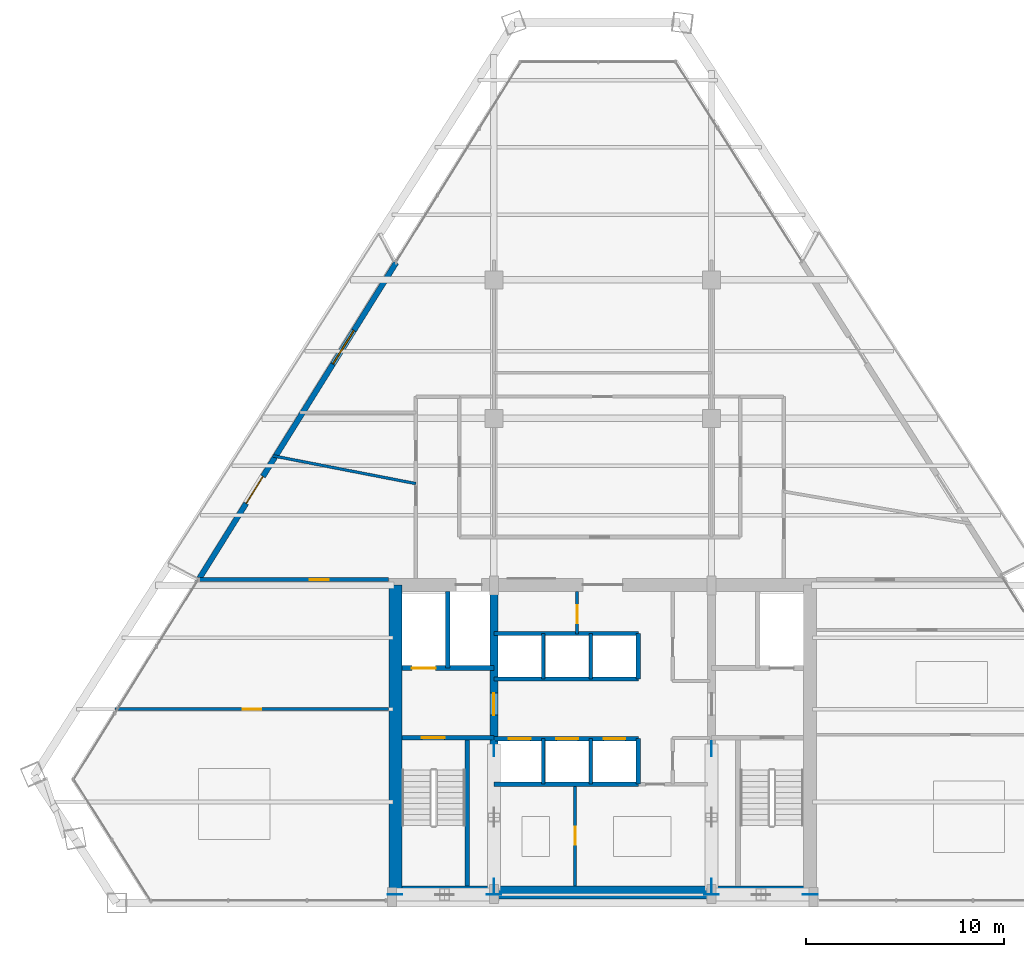
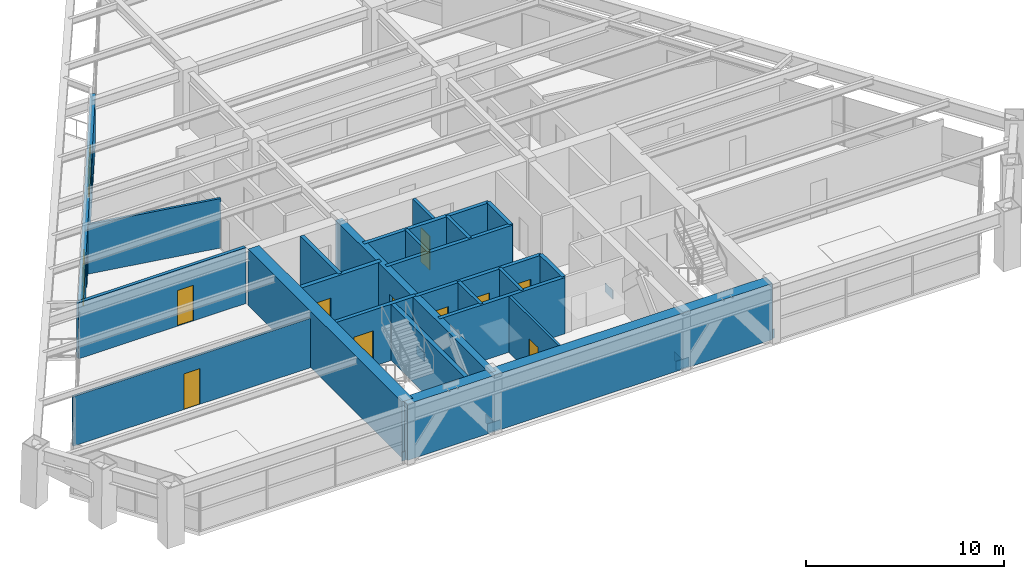
# One storey, part 11 of 15: 23 walls, 11 doors, 8 plates, 1 window, 12 openings.
"""IFC4 building model written with IfcOpenShell, lengths in metres."""

from ifc_helpers import new_model, si_unit, direction, frame, frame_2d, origin, origin_2d, place, context, subcontext, project, spatial, rectangle, extrude, source, transform, mapped, material, layer, layer_set, type_object, type_shapes, element, fill, save


model = new_model("IFC4")

# Units and contexts
model_context = context("Model", 3, precision=1e-05, world=origin(), true_north=direction((0.0, 1.0)))
body_context = subcontext(model_context, "Body", "Model", "MODEL_VIEW")
ifc_project = project(units=[si_unit("LENGTHUNIT", "METRE"), si_unit("AREAUNIT", "SQUARE_METRE"), si_unit("VOLUMEUNIT", "CUBIC_METRE"), si_unit("PLANEANGLEUNIT", "RADIAN"), si_unit("MASSUNIT", "GRAM", prefix="KILO")], contexts=[model_context])

# Site, building, storey
site_placement = place(None, origin())
site = spatial("IfcSite", under=ifc_project, at=site_placement, CompositionType="ELEMENT")
building_placement = place(site_placement, origin())
building = spatial("IfcBuilding", under=site, at=building_placement, Name="Varnakhor Terracotta Tower", CompositionType="ELEMENT")
storey_placement = place(building_placement, frame((0.0, 0.0, 182.10009765625)))
storey = spatial("IfcBuildingStorey", under=building, at=storey_placement, Name="L46", CompositionType="ELEMENT", Elevation=182.10009765625)

# Plates
ifc_material_1 = material(Name="Steel S460", Category="steel")
ifc_layer_1 = layer(ifc_material_1, 0.050048828125, Name="Steel S460")
ifc_layer_set_1 = layer_set([ifc_layer_1], Name="Steel S460")
plate_type = type_object("IfcPlateType", Name="PLT-GUSSET-50", PredefinedType="USERDEFINED", material=ifc_layer_set_1)
shared_shape_1 = source(origin(), body_context, "Body", "SweptSolid", [
    extrude(rectangle(XDim=0.75, YDim=0.0400390625, at=origin_2d()), origin(), (0.0, 0.0, 1.0), 0.550048828125),
])
type_shapes(plate_type, [shared_shape_1])
for number, where, z_axis, x_axis, name in (
    (1, (-10.5, 0.419921875, -0.09521484375), (0.0, 0.0, 1.0), (1.0, 0.0, 0.0), "L46 Core Brace Embed Plate CSWA"),
    (2, (-5.5, 0.419921875, -0.09521484375), (0.0, 0.0, 1.0), (1.0, 0.0, 0.0), "L46 Core Brace Embed Plate CSWB"),
    (3, (5.5, 0.419921875, -0.09521484375), (0.0, 0.0, 1.0), (1.0, 0.0, 0.0), "L46 Core Brace Embed Plate CSEA"),
    (4, (10.5, 0.419921875, -0.09521484375), (0.0, 0.0, 1.0), (1.0, 0.0, 0.0), "L46 Core Brace Embed Plate CSEB"),
    (5, (-5.5, 0.85009765625, -0.09521484375), (0.0, 0.0, 1.0), (0.0, 1.0, 0.0), "L46 Core Brace Embed Plate CWWA"),
    (6, (-5.5, 7.800048828125, -0.09521484375), (0.0, 0.0, 1.0), (0.0, 1.0, 0.0), "L46 Core Brace Embed Plate CWWB"),
    (7, (5.5, 0.85009765625, -0.09521484375), (0.0, 0.0, 1.0), (0.0, 1.0, 0.0), "L46 Core Brace Embed Plate CWEA"),
    (8, (5.5, 7.800048828125, -0.09521484375), (0.0, 0.0, 1.0), (0.0, 1.0, 0.0), "L46 Core Brace Embed Plate CWEB"),
):
    element("IfcPlate", number, at=place(storey_placement, frame(where, z_axis=z_axis, x_axis=x_axis)), inside=storey, type_object=plate_type, Name=name, ObjectType="GUSSET PLATE", PredefinedType="USERDEFINED", context=body_context, shape_type="MappedRepresentation", body=[
        mapped(shared_shape_1, transform((0.0, 0.0, 0.0), scale=1.0)),
    ])

# Walls
ifc_material_2 = material(Name="Concrete C50/60", Category="concrete")
ifc_layer_2 = layer(ifc_material_2, 0.64990234375, Name="Concrete C50/60")
ifc_layer_set_2 = layer_set([ifc_layer_2], Name="Concrete C50/60")
wall_type_1 = type_object("IfcWallType", Name="WAL-CORE-650", PredefinedType="SHEAR", material=ifc_layer_set_2)
wall_1_placement = place(storey_placement, frame((-10.64990234375, 0.52490234375, 0.0), z_axis=(0.0, 0.0, 1.0), x_axis=(1.0, 0.0, 0.0)))
element("IfcWall", 9, at=wall_1_placement, inside=storey, type_object=wall_type_1, Name="L46 South Core Shear Wall", PredefinedType="SHEAR", context=body_context, shape_type="SweptSolid", body=[
    extrude(rectangle(XDim=21.2998046875, YDim=0.64990234375, at=frame_2d((10.64990234375, 0.0))), origin(), (0.0, 0.0, 1.0), 3.469970703125),
])
wall_2_placement = place(storey_placement, frame((-10.47509765625, 0.52490234375, 0.0), z_axis=(0.0, 0.0, 1.0), x_axis=(0.0, 1.0, 0.0)))
element("IfcWall", 10, at=wall_2_placement, inside=storey, type_object=wall_type_1, Name="L46 West Core Shear Wall", PredefinedType="SHEAR", context=body_context, shape_type="SweptSolid", body=[
    extrude(rectangle(XDim=15.550048828125, YDim=0.64990234375, at=frame_2d((7.77490234375, 0.0))), origin(), (0.0, 0.0, 1.0), 3.469970703125),
])

# Wall, opening, door
ifc_layer_3 = layer(ifc_material_2, 0.39990234375, Name="Concrete C50/60")
ifc_layer_set_3 = layer_set([ifc_layer_3], Name="Concrete C50/60")
wall_type_2 = type_object("IfcWallType", Name="WAL-CORE-WEB-400", PredefinedType="SHEAR", material=ifc_layer_set_3)
wall_3_placement = place(storey_placement, frame((-5.5, 0.52490234375, 0.0), z_axis=(0.0, 0.0, 1.0), x_axis=(0.0, 1.0, 0.0)))
wall_3 = element("IfcWall", 11, at=wall_3_placement, inside=storey, type_object=wall_type_2, Name="L46 West Core Web Shear Wall", PredefinedType="SHEAR", context=body_context, shape_type="SweptSolid", body=[
    extrude(rectangle(XDim=15.550048828125, YDim=0.39990234375, at=frame_2d((7.77490234375, 0.0))), origin(), (0.0, 0.0, 1.0), 3.469970703125),
])
opening_1_placement = place(wall_3_placement, frame((8.97509765625, 0.0, 0.0)))
opening_1 = element("IfcOpeningElement", 12, at=opening_1_placement, cuts=wall_3, Name="Opening DR-25", PredefinedType="OPENING", context=body_context, shape_type="SweptSolid", body=[
    extrude(rectangle(XDim=1.10009765625, YDim=2.199951171875, at=frame_2d((0.550048828125, 1.10009765625))), frame((0.0, 0.2099609375, 0.0), z_axis=(0.0, -1.0, 0.0), x_axis=(1.0, 0.0, 0.0)), (0.0, 0.0, 1.0), 0.419921875),
])
ifc_material_3 = material(Name="Firefighting Lobby Self-Closing Fire Door", Category="steel")
door_type_1 = type_object("IfcDoorType", Name="DR-FFL-1100X2200", OperationType="NOTDEFINED", PredefinedType="DOOR", material=ifc_material_3)
shared_shape_2 = source(origin(), body_context, "Body", "SweptSolid", [
    extrude(rectangle(XDim=1.10009765625, YDim=2.199951171875, at=frame_2d((0.550048828125, 1.10009765625))), frame((0.0, 0.02490234375, 0.0), z_axis=(0.0, -1.0, 0.0), x_axis=(1.0, 0.0, 0.0)), (0.0, 0.0, 1.0), 0.050048828125),
])
type_shapes(door_type_1, [shared_shape_2])
door_1_placement = place(opening_1_placement, origin())
door_1 = element("IfcDoor", 13, at=door_1_placement, inside=storey, type_object=door_type_1, Name="L46 West Firefighting Lobby Door", OperationType="SINGLE_SWING_RIGHT", OverallHeight=2.199951171875, OverallWidth=1.10009765625, PredefinedType="DOOR", context=body_context, shape_type="MappedRepresentation", body=[
    mapped(shared_shape_2, transform((0.0, 0.0, 0.0), scale=1.0)),
])
fill(opening_1, door_1)

ifc_material_4 = material(Name="Fire-Rated Gypsum Stud Partition", Category="gypsum")
ifc_layer_4 = layer(ifc_material_4, 0.18505859375, Name="Fire-Rated Gypsum Stud Partition")
ifc_layer_set_4 = layer_set([ifc_layer_4], Name="Fire-Rated Gypsum Stud Partition")
wall_type_3 = type_object("IfcWallType", Name="WAL-CORR-185", PredefinedType="PARTITIONING", material=ifc_layer_set_4)
wall_4_placement = place(storey_placement, frame((-20.583251953125, 16.35009765625, 0.0), z_axis=(0.0, 0.0, 1.0), x_axis=(1.0, 0.0, 0.0)))
wall_4 = element("IfcWall", 14, at=wall_4_placement, inside=storey, type_object=wall_type_3, Name="L46 South West Entry Wall", PredefinedType="PARTITIONING", context=body_context, shape_type="SweptSolid", body=[
    extrude(rectangle(XDim=9.76318359375, YDim=0.18505859375, at=frame_2d((4.881591796875, 0.0))), origin(), (0.0, 0.0, 1.0), 3.4619140625),
])
opening_2_placement = place(wall_4_placement, frame((5.76904296875, 0.0, 0.0)))
opening_2 = element("IfcOpeningElement", 15, at=opening_2_placement, cuts=wall_4, Name="Opening DR-94", PredefinedType="OPENING", context=body_context, shape_type="SweptSolid", body=[
    extrude(rectangle(XDim=0.949951171875, YDim=2.199951171875, at=frame_2d((0.47509765625, 1.10009765625))), frame((0.0, 0.1025390625, 0.0), z_axis=(0.0, -1.0, 0.0), x_axis=(1.0, 0.0, 0.0)), (0.0, 0.0, 1.0), 0.205078125),
])
ifc_material_5 = material(Name="Acoustic Glazed-Vision Timber Office Door", Category="wood")
door_type_2 = type_object("IfcDoorType", Name="DR-OFF-950X2200", OperationType="NOTDEFINED", PredefinedType="DOOR", material=ifc_material_5)
shared_shape_3 = source(origin(), body_context, "Body", "SweptSolid", [
    extrude(rectangle(XDim=0.949951171875, YDim=2.199951171875, at=frame_2d((0.47509765625, 1.10009765625))), frame((0.0, 0.02490234375, 0.0), z_axis=(0.0, -1.0, 0.0), x_axis=(1.0, 0.0, 0.0)), (0.0, 0.0, 1.0), 0.050048828125),
])
type_shapes(door_type_2, [shared_shape_3])
door_2_placement = place(opening_2_placement, origin())
door_2 = element("IfcDoor", 16, at=door_2_placement, inside=storey, type_object=door_type_2, Name="L46 SW Suite Door", OperationType="SINGLE_SWING_LEFT", OverallHeight=2.199951171875, OverallWidth=0.949951171875, PredefinedType="DOOR", context=body_context, shape_type="MappedRepresentation", body=[
    mapped(shared_shape_3, transform((0.0, 0.0, 0.0), scale=1.0)),
])
fill(opening_2, door_2)

# Wall, openings, door, window
ifc_material_6 = material(Name="Extruded Architectural Terracotta Assembly", Category="masonry")
ifc_layer_5 = layer(ifc_material_6, 0.280029296875, Name="Extruded Architectural Terracotta Assembly")
ifc_layer_set_5 = layer_set([ifc_layer_5], Name="Extruded Architectural Terracotta Assembly")
wall_type_4 = type_object("IfcWallType", Name="WAL-EXT-TERRACOTTA-280", PredefinedType="SOLIDWALL", material=ifc_layer_set_5)
wall_5_placement = place(storey_placement, frame((-20.422607421875, 16.36181640625, 0.0), z_axis=(0.0, 0.0, 1.0), x_axis=(0.528858297752, 0.848710139505, 0.0)))
wall_5 = element("IfcWall", 17, at=wall_5_placement, inside=storey, type_object=wall_type_4, Name="L46 W Loggia Insulated Terracotta Wall", PredefinedType="SOLIDWALL", context=body_context, shape_type="SweptSolid", body=[
    extrude(rectangle(XDim=18.862548828125, YDim=0.280029296875, at=frame_2d((9.43115234375, 0.0))), origin(), (0.0, 0.0, 1.0), 3.0498046875),
])
opening_3_placement = place(wall_5_placement, frame((4.527099609375, 0.0, 0.0)))
opening_3 = element("IfcOpeningElement", 18, at=opening_3_placement, cuts=wall_5, Name="Opening DR-62", PredefinedType="OPENING", context=body_context, shape_type="SweptSolid", body=[
    extrude(rectangle(XDim=1.60009765625, YDim=2.35009765625, at=frame_2d((0.800048828125, 1.175048828125))), frame((0.0, 0.14990234375, 0.0), z_axis=(0.0, -1.0, 0.0), x_axis=(1.0, 0.0, 0.0)), (0.0, 0.0, 1.0), 0.300048828125),
])
opening_4_placement = place(wall_5_placement, frame((12.826416015625, 0.0, 0.89990234375)))
opening_4 = element("IfcOpeningElement", 19, at=opening_4_placement, cuts=wall_5, Name="Opening WN-26", PredefinedType="OPENING", context=body_context, shape_type="SweptSolid", body=[
    extrude(rectangle(XDim=2.0, YDim=1.85009765625, at=frame_2d((1.0, 0.925048828125))), frame((0.0, 0.14990234375, 0.0), z_axis=(0.0, -1.0, 0.0), x_axis=(1.0, 0.0, 0.0)), (0.0, 0.0, 1.0), 0.300048828125),
])
ifc_material_7 = material(Name="Thermally Broken Sliding Glass Loggia Door", Category="glass")
door_type_3 = type_object("IfcDoorType", Name="DR-EXT-LOGGIA-1600X2350", OperationType="NOTDEFINED", PredefinedType="DOOR", material=ifc_material_7)
shared_shape_4 = source(origin(), body_context, "Body", "SweptSolid", [
    extrude(rectangle(XDim=1.60009765625, YDim=2.35009765625, at=frame_2d((0.800048828125, 1.175048828125))), frame((0.0, 0.02490234375, 0.0), z_axis=(0.0, -1.0, 0.0), x_axis=(1.0, 0.0, 0.0)), (0.0, 0.0, 1.0), 0.050048828125),
])
type_shapes(door_type_3, [shared_shape_4])
door_3_placement = place(opening_3_placement, origin())
door_3 = element("IfcDoor", 20, at=door_3_placement, inside=storey, type_object=door_type_3, Name="L46 W Recessed Loggia Sliding Door", OperationType="SLIDING_TO_LEFT", OverallHeight=2.35009765625, OverallWidth=1.60009765625, PredefinedType="DOOR", context=body_context, shape_type="MappedRepresentation", body=[
    mapped(shared_shape_4, transform((0.0, 0.0, 0.0), scale=1.0)),
])
fill(opening_3, door_3)
ifc_material_8 = material(Name="Solar-Control Low-E Insulated Glass Unit", Category="glass")
window_type = type_object("IfcWindowType", Name="WIN-OFF-2200X2100", PartitioningType="SINGLE_PANEL", PredefinedType="WINDOW", material=ifc_material_8)
shared_shape_5 = source(origin(), body_context, "Body", "SweptSolid", [
    extrude(rectangle(XDim=2.0, YDim=1.85009765625, at=frame_2d((1.0, 0.925048828125))), frame((0.0, 0.030029296875, 0.0), z_axis=(0.0, -1.0, 0.0), x_axis=(1.0, 0.0, 0.0)), (0.0, 0.0, 1.0), 0.06005859375),
])
type_shapes(window_type, [shared_shape_5])
window_placement = place(opening_4_placement, origin())
window = element("IfcWindow", 21, at=window_placement, inside=storey, type_object=window_type, Name="L46 W Facet Punched Window", OverallHeight=1.85009765625, OverallWidth=2.0, PartitioningType="SINGLE_PANEL", PredefinedType="WINDOW", context=body_context, shape_type="MappedRepresentation", body=[
    mapped(shared_shape_5, transform((0.0, 0.0, 0.0), scale=1.0)),
])
fill(opening_4, window)

# Wall, opening, door
ifc_material_9 = material(Name="Concrete C40/50", Category="concrete")
ifc_layer_6 = layer(ifc_material_9, 0.219970703125, Name="Concrete C40/50")
ifc_layer_set_6 = layer_set([ifc_layer_6], Name="Concrete C40/50")
wall_type_5 = type_object("IfcWallType", Name="WAL-FFLOBBY-220", PredefinedType="SOLIDWALL", material=ifc_layer_set_6)
wall_6_placement = place(storey_placement, frame((-5.5, 8.35009765625, 0.0), z_axis=(0.0, 0.0, 1.0), x_axis=(-1.0, 0.0, 0.0)))
wall_6 = element("IfcWall", 22, at=wall_6_placement, inside=storey, type_object=wall_type_5, Name="L46 West Firefighting Lobby Stair Wall", PredefinedType="SOLIDWALL", context=body_context, shape_type="SweptSolid", body=[
    extrude(rectangle(XDim=4.64990234375, YDim=0.219970703125, at=frame_2d((2.324951171875, 0.0))), origin(), (0.0, 0.0, 1.0), 3.469970703125),
])
opening_5_placement = place(wall_6_placement, frame((2.5, 0.0, 0.0)))
opening_5 = element("IfcOpeningElement", 23, at=opening_5_placement, cuts=wall_6, Name="Opening DR-34", PredefinedType="OPENING", context=body_context, shape_type="SweptSolid", body=[
    extrude(rectangle(XDim=1.14990234375, YDim=2.199951171875, at=frame_2d((0.574951171875, 1.10009765625))), frame((0.0, 0.1201171875, 0.0), z_axis=(0.0, -1.0, 0.0), x_axis=(1.0, 0.0, 0.0)), (0.0, 0.0, 1.0), 0.239990234375),
])
ifc_material_10 = material(Name="Self-Closing Smoke-Sealed Steel Fire Door", Category="steel")
door_type_4 = type_object("IfcDoorType", Name="DR-STAIR-1150X2200", OperationType="NOTDEFINED", PredefinedType="DOOR", material=ifc_material_10)
shared_shape_6 = source(origin(), body_context, "Body", "SweptSolid", [
    extrude(rectangle(XDim=1.14990234375, YDim=2.199951171875, at=frame_2d((0.574951171875, 1.10009765625))), frame((0.0, 0.02490234375, 0.0), z_axis=(0.0, -1.0, 0.0), x_axis=(1.0, 0.0, 0.0)), (0.0, 0.0, 1.0), 0.050048828125),
])
type_shapes(door_type_4, [shared_shape_6])
door_4_placement = place(opening_5_placement, origin())
door_4 = element("IfcDoor", 24, at=door_4_placement, inside=storey, type_object=door_type_4, Name="L46 Exit Stair ST-1 Fire Door", OperationType="SINGLE_SWING_LEFT", OverallHeight=2.199951171875, OverallWidth=1.14990234375, PredefinedType="DOOR", context=body_context, shape_type="MappedRepresentation", body=[
    mapped(shared_shape_6, transform((0.0, 0.0, 0.0), scale=1.0)),
])
fill(opening_5, door_4)

ifc_material_11 = material(Name="Acoustic Metal-Stud Partition", Category="gypsum")
ifc_layer_7 = layer(ifc_material_11, 0.139892578125, Name="Acoustic Metal-Stud Partition")
ifc_layer_set_7 = layer_set([ifc_layer_7], Name="Acoustic Metal-Stud Partition")
wall_type_6 = type_object("IfcWallType", Name="WAL-PART-140", PredefinedType="PARTITIONING", material=ifc_layer_set_7)
wall_7_placement = place(storey_placement, frame((-24.664794921875, 9.800048828125, 0.0), z_axis=(0.0, 0.0, 1.0), x_axis=(1.0, 0.0, 0.0)))
wall_7 = element("IfcWall", 25, at=wall_7_placement, inside=storey, type_object=wall_type_6, Name="L46 West Wing Cut 1", PredefinedType="PARTITIONING", context=body_context, shape_type="SweptSolid", body=[
    extrude(rectangle(XDim=13.8447265625, YDim=0.139892578125, at=frame_2d((6.92236328125, 0.0))), origin(), (0.0, 0.0, 1.0), 3.048828125),
])
opening_6_placement = place(wall_7_placement, frame((6.453857421875, 0.0, 0.0)))
opening_6 = element("IfcOpeningElement", 26, at=opening_6_placement, cuts=wall_7, Name="Opening DR-94", PredefinedType="OPENING", context=body_context, shape_type="SweptSolid", body=[
    extrude(rectangle(XDim=0.949951171875, YDim=2.199951171875, at=frame_2d((0.47509765625, 1.10009765625))), frame((0.0, 0.080078125, 0.0), z_axis=(0.0, -1.0, 0.0), x_axis=(1.0, 0.0, 0.0)), (0.0, 0.0, 1.0), 0.159912109375),
])
door_5_placement = place(opening_6_placement, origin())
door_5 = element("IfcDoor", 27, at=door_5_placement, inside=storey, type_object=door_type_2, Name="L46 Partner Office 5 Door", OperationType="SINGLE_SWING_LEFT", OverallHeight=2.199951171875, OverallWidth=0.949951171875, PredefinedType="DOOR", context=body_context, shape_type="MappedRepresentation", body=[
    mapped(shared_shape_3, transform((0.0, 0.0, 0.0), scale=1.0)),
])
fill(opening_6, door_5)

# Walls
wall_8_placement = place(storey_placement, frame((-16.6845703125, 22.606689453125, 0.0), z_axis=(0.0, 0.0, 1.0), x_axis=(0.981615217267, -0.190870545739, 0.0)))
element("IfcWall", 28, at=wall_8_placement, inside=storey, type_object=wall_type_6, Name="L46 West Wing Cut 2", PredefinedType="PARTITIONING", context=body_context, shape_type="SweptSolid", body=[
    extrude(rectangle(XDim=7.3701171875, YDim=0.139892578125, at=frame_2d((3.68505859375, 0.0))), origin(), (0.0, 0.0, 1.0), 3.048828125),
])
ifc_layer_8 = layer(ifc_material_9, 0.179931640625, Name="Concrete C40/50")
ifc_layer_set_8 = layer_set([ifc_layer_8], Name="Concrete C40/50")
wall_type_7 = type_object("IfcWallType", Name="WAL-SHAFT-180", PredefinedType="SOLIDWALL", material=ifc_layer_set_8)
for number, where, z_axis, x_axis, name in (
    (29, (-3.0, 6.0, 0.0), (0.0, 0.0, 1.0), (0.0, 1.0, 0.0), "L46 PL-2A Divider"),
    (30, (-0.60009765625, 6.0, 0.0), (0.0, 0.0, 1.0), (0.0, 1.0, 0.0), "L46 PL-2B Divider"),
    (31, (-3.0, 11.320068359375, 0.0), (0.0, 0.0, 1.0), (0.0, 1.0, 0.0), "L46 PL-3A Divider"),
    (32, (-0.60009765625, 11.320068359375, 0.0), (0.0, 0.0, 1.0), (0.0, 1.0, 0.0), "L46 PL-3B Divider"),
):
    element("IfcWall", number, at=place(storey_placement, frame(where, z_axis=z_axis, x_axis=x_axis)), inside=storey, type_object=wall_type_7, Name=name, PredefinedType="SOLIDWALL", context=body_context, shape_type="SweptSolid", body=[
        extrude(rectangle(XDim=2.300048828125, YDim=0.179931640625, at=frame_2d((1.14990234375, 0.0))), origin(), (0.0, 0.0, 1.0), 3.469970703125),
    ])
ifc_layer_9 = layer(ifc_material_9, 0.219970703125, Name="Concrete C40/50")
ifc_layer_set_9 = layer_set([ifc_layer_9], Name="Concrete C40/50")
wall_type_8 = type_object("IfcWallType", Name="WAL-SHAFT-220", PredefinedType="SOLIDWALL", material=ifc_layer_set_9)
wall_9_placement = place(storey_placement, frame((-7.840087890625, 11.8701171875, 0.0), z_axis=(0.0, 0.0, 1.0), x_axis=(0.0, 1.0, 0.0)))
element("IfcWall", 33, at=wall_9_placement, inside=storey, type_object=wall_type_8, Name="L46 Lift FFL-1 and SVL-1 Divider Wall", PredefinedType="SOLIDWALL", context=body_context, shape_type="SweptSolid", body=[
    extrude(rectangle(XDim=3.8798828125, YDim=0.219970703125, at=frame_2d((1.93994140625, 0.0))), origin(), (0.0, 0.0, 1.0), 3.469970703125),
])
wall_10_placement = place(storey_placement, frame((-5.5, 6.0, 0.0), z_axis=(0.0, 0.0, 1.0), x_axis=(1.0, 0.0, 0.0)))
element("IfcWall", 34, at=wall_10_placement, inside=storey, type_object=wall_type_8, Name="L46 Bank 2 South Shaft Wall", PredefinedType="SOLIDWALL", context=body_context, shape_type="SweptSolid", body=[
    extrude(rectangle(XDim=7.320068359375, YDim=0.219970703125, at=frame_2d((3.66015625, 0.0))), origin(), (0.0, 0.0, 1.0), 3.469970703125),
])

# Wall, openings, doors
wall_11_placement = place(storey_placement, frame((-5.5, 8.300048828125, 0.0), z_axis=(0.0, 0.0, 1.0), x_axis=(1.0, 0.0, 0.0)))
wall_11 = element("IfcWall", 35, at=wall_11_placement, inside=storey, type_object=wall_type_8, Name="L46 Bank 2 North Shaft Wall", PredefinedType="SOLIDWALL", context=body_context, shape_type="SweptSolid", body=[
    extrude(rectangle(XDim=7.320068359375, YDim=0.219970703125, at=frame_2d((3.66015625, 0.0))), origin(), (0.0, 0.0, 1.0), 3.469970703125),
])
opening_7_placement = place(wall_11_placement, frame((0.75, 0.0, 0.0)))
opening_7 = element("IfcOpeningElement", 36, at=opening_7_placement, cuts=wall_11, Name="Opening LD-01", PredefinedType="OPENING", context=body_context, shape_type="SweptSolid", body=[
    extrude(rectangle(XDim=1.10009765625, YDim=2.199951171875, at=frame_2d((0.550048828125, 1.10009765625))), frame((0.0, 0.1201171875, 0.0), z_axis=(0.0, -1.0, 0.0), x_axis=(1.0, 0.0, 0.0)), (0.0, 0.0, 1.0), 0.239990234375),
])
opening_8_placement = place(wall_11_placement, frame((3.14990234375, 0.0, 0.0)))
opening_8 = element("IfcOpeningElement", 37, at=opening_8_placement, cuts=wall_11, Name="Opening LD-01", PredefinedType="OPENING", context=body_context, shape_type="SweptSolid", body=[
    extrude(rectangle(XDim=1.10009765625, YDim=2.199951171875, at=frame_2d((0.550048828125, 1.10009765625))), frame((0.0, 0.1201171875, 0.0), z_axis=(0.0, -1.0, 0.0), x_axis=(1.0, 0.0, 0.0)), (0.0, 0.0, 1.0), 0.239990234375),
])
opening_9_placement = place(wall_11_placement, frame((5.550048828125, 0.0, 0.0)))
opening_9 = element("IfcOpeningElement", 38, at=opening_9_placement, cuts=wall_11, Name="Opening LD-01", PredefinedType="OPENING", context=body_context, shape_type="SweptSolid", body=[
    extrude(rectangle(XDim=1.10009765625, YDim=2.199951171875, at=frame_2d((0.550048828125, 1.10009765625))), frame((0.0, 0.1201171875, 0.0), z_axis=(0.0, -1.0, 0.0), x_axis=(1.0, 0.0, 0.0)), (0.0, 0.0, 1.0), 0.239990234375),
])
ifc_material_12 = material(Name="Brushed Stainless Steel Sliding Lift Landing Door", Category="steel")
door_type_5 = type_object("IfcDoorType", Name="LD-PASS-1100X2200", OperationType="NOTDEFINED", PredefinedType="DOOR", material=ifc_material_12)
shared_shape_7 = source(origin(), body_context, "Body", "SweptSolid", [
    extrude(rectangle(XDim=1.10009765625, YDim=2.199951171875, at=frame_2d((0.550048828125, 1.10009765625))), frame((0.0, 0.02490234375, 0.0), z_axis=(0.0, -1.0, 0.0), x_axis=(1.0, 0.0, 0.0)), (0.0, 0.0, 1.0), 0.050048828125),
])
type_shapes(door_type_5, [shared_shape_7])
door_6_placement = place(opening_7_placement, origin())
door_6 = element("IfcDoor", 39, at=door_6_placement, inside=storey, type_object=door_type_5, Name="L46 Passenger Lift PL-2A Landing Door", OperationType="SLIDING_TO_LEFT", OverallHeight=2.199951171875, OverallWidth=1.10009765625, PredefinedType="DOOR", context=body_context, shape_type="MappedRepresentation", body=[
    mapped(shared_shape_7, transform((0.0, 0.0, 0.0), scale=1.0)),
])
fill(opening_7, door_6)
door_7_placement = place(opening_8_placement, origin())
door_7 = element("IfcDoor", 40, at=door_7_placement, inside=storey, type_object=door_type_5, Name="L46 Passenger Lift PL-2B Landing Door", OperationType="SLIDING_TO_LEFT", OverallHeight=2.199951171875, OverallWidth=1.10009765625, PredefinedType="DOOR", context=body_context, shape_type="MappedRepresentation", body=[
    mapped(shared_shape_7, transform((0.0, 0.0, 0.0), scale=1.0)),
])
fill(opening_8, door_7)
door_8_placement = place(opening_9_placement, origin())
door_8 = element("IfcDoor", 41, at=door_8_placement, inside=storey, type_object=door_type_5, Name="L46 Passenger Lift PL-2C Landing Door", OperationType="SLIDING_TO_LEFT", OverallHeight=2.199951171875, OverallWidth=1.10009765625, PredefinedType="DOOR", context=body_context, shape_type="MappedRepresentation", body=[
    mapped(shared_shape_7, transform((0.0, 0.0, 0.0), scale=1.0)),
])
fill(opening_9, door_8)

# Walls
wall_12_placement = place(storey_placement, frame((1.800048828125, 6.0, 0.0), z_axis=(0.0, 0.0, 1.0), x_axis=(0.0, 1.0, 0.0)))
element("IfcWall", 42, at=wall_12_placement, inside=storey, type_object=wall_type_8, Name="L46 Bank 2 East Shaft Wall", PredefinedType="SOLIDWALL", context=body_context, shape_type="SweptSolid", body=[
    extrude(rectangle(XDim=2.300048828125, YDim=0.219970703125, at=frame_2d((1.14990234375, 0.0))), origin(), (0.0, 0.0, 1.0), 3.469970703125),
])
for number, where, z_axis, x_axis, name in (
    (43, (-5.5, 11.320068359375, 0.0), (0.0, 0.0, 1.0), (1.0, 0.0, 0.0), "L46 Bank 3 South Shaft Wall"),
    (44, (-5.5, 13.6201171875, 0.0), (0.0, 0.0, 1.0), (1.0, 0.0, 0.0), "L46 Bank 3 North Shaft Wall"),
):
    element("IfcWall", number, at=place(storey_placement, frame(where, z_axis=z_axis, x_axis=x_axis)), inside=storey, type_object=wall_type_8, Name=name, PredefinedType="SOLIDWALL", context=body_context, shape_type="SweptSolid", body=[
        extrude(rectangle(XDim=7.320068359375, YDim=0.219970703125, at=frame_2d((3.66015625, 0.0))), origin(), (0.0, 0.0, 1.0), 3.469970703125),
    ])
wall_13_placement = place(storey_placement, frame((1.800048828125, 11.320068359375, 0.0), z_axis=(0.0, 0.0, 1.0), x_axis=(0.0, 1.0, 0.0)))
element("IfcWall", 45, at=wall_13_placement, inside=storey, type_object=wall_type_8, Name="L46 Bank 3 East Shaft Wall", PredefinedType="SOLIDWALL", context=body_context, shape_type="SweptSolid", body=[
    extrude(rectangle(XDim=2.300048828125, YDim=0.219970703125, at=frame_2d((1.14990234375, 0.0))), origin(), (0.0, 0.0, 1.0), 3.469970703125),
])
ifc_layer_10 = layer(ifc_material_9, 0.25, Name="Concrete C40/50")
ifc_layer_set_10 = layer_set([ifc_layer_10], Name="Concrete C40/50")
wall_type_9 = type_object("IfcWallType", Name="WAL-SHAFT-250", PredefinedType="SOLIDWALL", material=ifc_layer_set_10)
wall_14_placement = place(storey_placement, frame((-6.85009765625, 0.85009765625, 0.0), z_axis=(0.0, 0.0, 1.0), x_axis=(0.0, 1.0, 0.0)))
element("IfcWall", 46, at=wall_14_placement, inside=storey, type_object=wall_type_9, Name="L46 Stair ST-1 Bearing Shaft Wall", PredefinedType="SOLIDWALL", context=body_context, shape_type="SweptSolid", body=[
    extrude(rectangle(XDim=7.5, YDim=0.25, at=frame_2d((3.75, 0.0))), origin(), (0.0, 0.0, 1.0), 3.469970703125),
])

# Wall, opening, door
wall_15_placement = place(storey_placement, frame((-5.5, 11.8701171875, 0.0), z_axis=(0.0, 0.0, 1.0), x_axis=(-1.0, 0.0, 0.0)))
wall_15 = element("IfcWall", 47, at=wall_15_placement, inside=storey, type_object=wall_type_9, Name="L46 Lift FFL-1 Shaft Front Wall", PredefinedType="SOLIDWALL", context=body_context, shape_type="SweptSolid", body=[
    extrude(rectangle(XDim=4.64990234375, YDim=0.25, at=frame_2d((2.324951171875, 0.0))), origin(), (0.0, 0.0, 1.0), 3.469970703125),
])
opening_10_placement = place(wall_15_placement, frame((2.949951171875, 0.0, 0.0)))
opening_10 = element("IfcOpeningElement", 48, at=opening_10_placement, cuts=wall_15, Name="Opening LD-02", PredefinedType="OPENING", context=body_context, shape_type="SweptSolid", body=[
    extrude(rectangle(XDim=1.199951171875, YDim=2.25, at=frame_2d((0.60009765625, 1.125))), frame((0.0, 0.135009765625, 0.0), z_axis=(0.0, -1.0, 0.0), x_axis=(1.0, 0.0, 0.0)), (0.0, 0.0, 1.0), 0.27001953125),
])
ifc_material_13 = material(Name="Firefighting Stretcher Sliding Lift Landing Door", Category="steel")
door_type_6 = type_object("IfcDoorType", Name="LD-FFL-1200X2250", OperationType="NOTDEFINED", PredefinedType="DOOR", material=ifc_material_13)
shared_shape_8 = source(origin(), body_context, "Body", "SweptSolid", [
    extrude(rectangle(XDim=1.199951171875, YDim=2.25, at=frame_2d((0.60009765625, 1.125))), frame((0.0, 0.02490234375, 0.0), z_axis=(0.0, -1.0, 0.0), x_axis=(1.0, 0.0, 0.0)), (0.0, 0.0, 1.0), 0.050048828125),
])
type_shapes(door_type_6, [shared_shape_8])
door_9_placement = place(opening_10_placement, origin())
door_9 = element("IfcDoor", 49, at=door_9_placement, inside=storey, type_object=door_type_6, Name="L46 Firefighting Lift FFL-1 Landing Door", OperationType="SLIDING_TO_LEFT", OverallHeight=2.25, OverallWidth=1.199951171875, PredefinedType="DOOR", context=body_context, shape_type="MappedRepresentation", body=[
    mapped(shared_shape_8, transform((0.0, 0.0, 0.0), scale=1.0)),
])
fill(opening_10, door_9)

ifc_material_14 = material(Name="Acoustic Fire-Rated Partition", Category="gypsum")
ifc_layer_11 = layer(ifc_material_14, 0.139892578125, Name="Acoustic Fire-Rated Partition")
ifc_layer_set_11 = layer_set([ifc_layer_11], Name="Acoustic Fire-Rated Partition")
wall_type_10 = type_object("IfcWallType", Name="WAL-TENANCY-140", PredefinedType="PARTITIONING", material=ifc_layer_set_11)
wall_16_placement = place(storey_placement, frame((-1.39990234375, 0.85009765625, 0.0), z_axis=(0.0, 0.0, 1.0), x_axis=(0.0, 1.0, 0.0)))
wall_16 = element("IfcWall", 50, at=wall_16_placement, inside=storey, type_object=wall_type_10, Name="L46 Reclaimed Core Bay Split Wall", PredefinedType="PARTITIONING", context=body_context, shape_type="SweptSolid", body=[
    extrude(rectangle(XDim=5.02978515625, YDim=0.139892578125, at=frame_2d((2.514892578125, 0.0))), origin(), (0.0, 0.0, 1.0), 3.4619140625),
])
opening_11_placement = place(wall_16_placement, frame((2.10009765625, 0.0, 0.0)))
opening_11 = element("IfcOpeningElement", 51, at=opening_11_placement, cuts=wall_16, Name="Opening DR-67", PredefinedType="OPENING", context=body_context, shape_type="SweptSolid", body=[
    extrude(rectangle(XDim=0.89990234375, YDim=2.10009765625, at=frame_2d((0.449951171875, 1.050048828125))), frame((0.0, 0.080078125, 0.0), z_axis=(0.0, -1.0, 0.0), x_axis=(1.0, 0.0, 0.0)), (0.0, 0.0, 1.0), 0.159912109375),
])
ifc_material_15 = material(Name="Steel Service Riser Fire Door", Category="steel")
door_type_7 = type_object("IfcDoorType", Name="DR-RISER-900X2100", OperationType="NOTDEFINED", PredefinedType="DOOR", material=ifc_material_15)
shared_shape_9 = source(origin(), body_context, "Body", "SweptSolid", [
    extrude(rectangle(XDim=0.89990234375, YDim=2.10009765625, at=frame_2d((0.449951171875, 1.050048828125))), frame((0.0, 0.02490234375, 0.0), z_axis=(0.0, -1.0, 0.0), x_axis=(1.0, 0.0, 0.0)), (0.0, 0.0, 1.0), 0.050048828125),
])
type_shapes(door_type_7, [shared_shape_9])
door_10_placement = place(opening_11_placement, origin())
door_10 = element("IfcDoor", 52, at=door_10_placement, inside=storey, type_object=door_type_7, Name="L46 Core Inner Service Door", OperationType="SINGLE_SWING_RIGHT", OverallHeight=2.10009765625, OverallWidth=0.89990234375, PredefinedType="DOOR", context=body_context, shape_type="MappedRepresentation", body=[
    mapped(shared_shape_9, transform((0.0, 0.0, 0.0), scale=1.0)),
])
fill(opening_11, door_10)

ifc_layer_12 = layer(ifc_material_14, 0.1650390625, Name="Acoustic Fire-Rated Partition")
ifc_layer_set_12 = layer_set([ifc_layer_12], Name="Acoustic Fire-Rated Partition")
wall_type_11 = type_object("IfcWallType", Name="WAL-TENANCY-165", PredefinedType="PARTITIONING", material=ifc_layer_set_12)
wall_17_placement = place(storey_placement, frame((-1.300048828125, 13.60009765625, 0.0), z_axis=(0.0, 0.0, 1.0), x_axis=(0.0, 1.0, 0.0)))
wall_17 = element("IfcWall", 53, at=wall_17_placement, inside=storey, type_object=wall_type_11, Name="L46 Male Restroom Wall", PredefinedType="PARTITIONING", context=body_context, shape_type="SweptSolid", body=[
    extrude(rectangle(XDim=2.14990234375, YDim=0.1650390625, at=frame_2d((1.074951171875, 0.0))), origin(), (0.0, 0.0, 1.0), 3.4619140625),
])
opening_12_placement = place(wall_17_placement, frame((0.550048828125, 0.0, 0.0)))
opening_12 = element("IfcOpeningElement", 54, at=opening_12_placement, cuts=wall_17, Name="Opening DR-67", PredefinedType="OPENING", context=body_context, shape_type="SweptSolid", body=[
    extrude(rectangle(XDim=0.89990234375, YDim=2.10009765625, at=frame_2d((0.449951171875, 1.050048828125))), frame((0.0, 0.092529296875, 0.0), z_axis=(0.0, -1.0, 0.0), x_axis=(1.0, 0.0, 0.0)), (0.0, 0.0, 1.0), 0.18505859375),
])
door_11_placement = place(opening_12_placement, origin())
door_11 = element("IfcDoor", 55, at=door_11_placement, inside=storey, type_object=door_type_7, Name="L46 Male WC Door", OperationType="SINGLE_SWING_RIGHT", OverallHeight=2.10009765625, OverallWidth=0.89990234375, PredefinedType="DOOR", context=body_context, shape_type="MappedRepresentation", body=[
    mapped(shared_shape_9, transform((0.0, 0.0, 0.0), scale=1.0)),
])
fill(opening_12, door_11)

save(model, "model.ifc")
